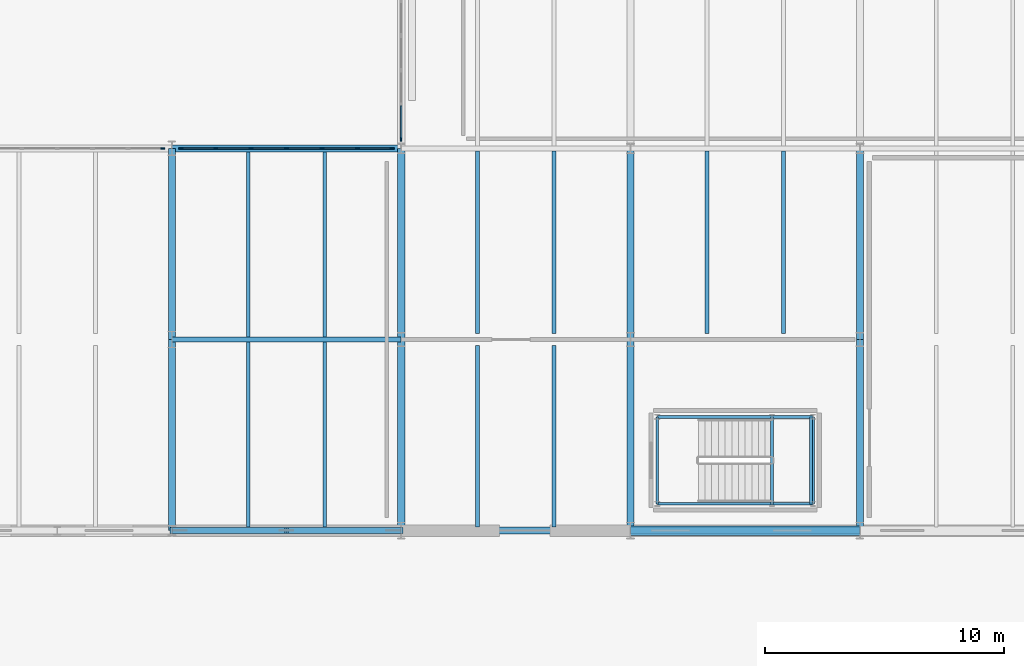
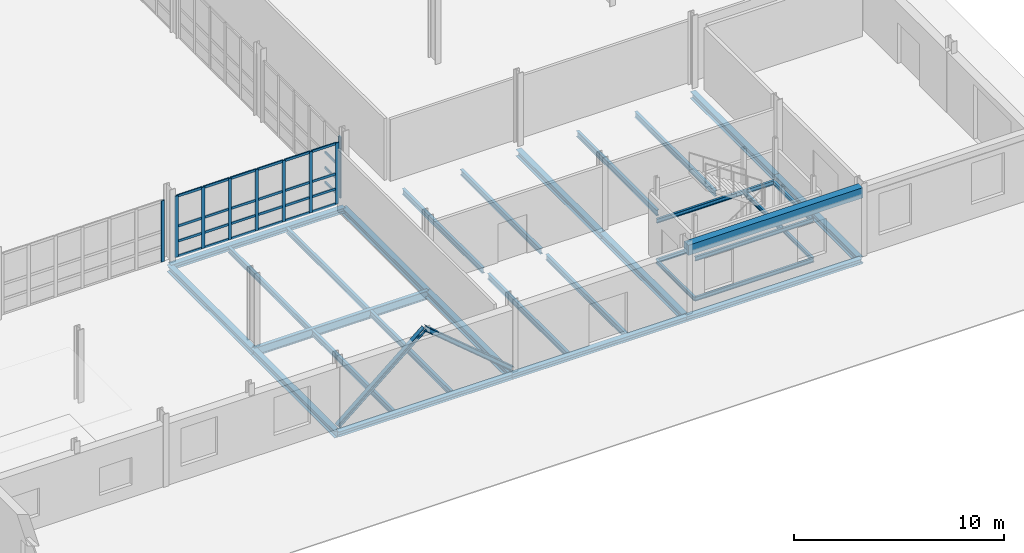
# One storey, part 42 of 78: 38 members, 32 beams, 3 elements without a shape of their own.
"""IFC4 building model written with IfcOpenShell, lengths in metres."""

from ifc_helpers import new_model, si_unit, direction, frame, origin, origin_2d, place, context, subcontext, project, spatial, rectangle, i_section, extrude, material, layer, layer_set, material_profile, profile_set, type_object, element, aggregate, save


model = new_model("IFC4")

# Units and contexts
model_context = context("Model", 3, precision=1e-05, world=origin(), true_north=direction((0.0, 1.0)))
body_context = subcontext(model_context, "Body", "Model", "MODEL_VIEW")
ifc_project = project(units=[si_unit("LENGTHUNIT", "METRE"), si_unit("AREAUNIT", "SQUARE_METRE"), si_unit("VOLUMEUNIT", "CUBIC_METRE"), si_unit("PLANEANGLEUNIT", "RADIAN"), si_unit("MASSUNIT", "GRAM", prefix="KILO")], contexts=[model_context])

# Site, building, storey
site_placement = place(None, origin())
site = spatial("IfcSite", under=ifc_project, at=site_placement, CompositionType="ELEMENT")
building_placement = place(site_placement, origin())
building = spatial("IfcBuilding", under=site, at=building_placement, Name="Alderhovde Museum", CompositionType="ELEMENT")
storey_placement = place(building_placement, origin())
storey = spatial("IfcBuildingStorey", under=building, at=storey_placement, Name="L00", CompositionType="ELEMENT", Elevation=0.0)

# Beams
ifc_material_1 = material(Name="Steel S355J2", Category="steel")
ifc_material_profile_1 = material_profile(ifc_material_1, i_section(OverallWidth=0.300048828125, OverallDepth=0.389892578125, WebThickness=0.010986328125, FlangeThickness=0.01904296875, FilletRadius=0.027099609375, at=origin_2d()), Name="HEA 400")
ifc_profile_set_1 = profile_set([ifc_material_profile_1], Name="Steel S355J2")
beam_type_1 = type_object("IfcBeamType", Name="BM-HEA400", PredefinedType="BEAM", material=ifc_profile_set_1)
for number, where, z_axis, x_axis, name in (
    (1, (134.39990234375, 32.0, -0.47509765625), (0.0, 1.0, 0.0), (-1.0, 0.0, 0.0), "L00 Grid Beam X=134.4 (32.0 TO 40.0)"),
    (2, (134.39990234375, 40.0, -0.47509765625), (0.0, 1.0, 0.0), (-1.0, 0.0, 0.0), "L00 Grid Beam X=134.4 (40.0 TO 48.0)"),
    (3, (144.0, 32.0, -0.47509765625), (0.0, 1.0, 0.0), (-1.0, 0.0, 0.0), "L00 Grid Beam X=144.0 (32.0 TO 40.0)"),
    (4, (144.0, 40.0, -0.47509765625), (0.0, 1.0, 0.0), (-1.0, 0.0, 0.0), "L00 Grid Beam X=144.0 (40.0 TO 48.0)"),
    (5, (153.60009765625, 32.0, -0.47509765625), (0.0, 1.0, 0.0), (-1.0, 0.0, 0.0), "L00 Grid Beam X=153.6 (32.0 TO 40.0)"),
    (6, (153.60009765625, 40.0, -0.47509765625), (0.0, 1.0, 0.0), (-1.0, 0.0, 0.0), "L00 Grid Beam X=153.6 (40.0 TO 48.0)"),
    (7, (163.199951171875, 32.0, -0.47509765625), (0.0, 1.0, 0.0), (-1.0, 0.0, 0.0), "L00 Grid Beam X=163.2 (32.0 TO 40.0)"),
    (8, (163.199951171875, 40.0, -0.47509765625), (0.0, 1.0, 0.0), (-1.0, 0.0, 0.0), "L00 Grid Beam X=163.2 (40.0 TO 48.0)"),
):
    element("IfcBeam", number, at=place(storey_placement, frame(where, z_axis=z_axis, x_axis=x_axis)), inside=storey, type_object=beam_type_1, Name=name, PredefinedType="BEAM", context=body_context, shape_type="SweptSolid", body=[
        extrude(i_section(OverallWidth=0.300048828125, OverallDepth=0.389892578125, WebThickness=0.010986328125, FlangeThickness=0.01904296875, FilletRadius=0.027099609375, at=origin_2d()), origin(), (0.0, 0.0, 1.0), 8.0),
    ])
ifc_material_2 = material(Name="Steel S355J2", Category="steel")
ifc_material_profile_2 = material_profile(ifc_material_2, i_section(OverallWidth=0.1201171875, OverallDepth=0.239990234375, WebThickness=0.006103515625, FlangeThickness=0.009765625, FilletRadius=0.014892578125, at=origin_2d()), Name="IPE 240")
ifc_profile_set_2 = profile_set([ifc_material_profile_2], Name="Steel S355J2")
beam_type_2 = type_object("IfcBeamType", Name="BM-IPE240", PredefinedType="BEAM", material=ifc_profile_set_2)
for number, where, z_axis, x_axis, name in (
    (9, (154.719970703125, 33.1201171875, -0.39990234375), (1.0, 0.0, 0.0), (0.0, 1.0, 0.0), "L00 Stair ST7 Floor Trimmer S"),
    (10, (154.719970703125, 36.760009765625, -0.39990234375), (1.0, 0.0, 0.0), (0.0, 1.0, 0.0), "L00 Stair ST7 Floor Trimmer N"),
):
    element("IfcBeam", number, at=place(storey_placement, frame(where, z_axis=z_axis, x_axis=x_axis)), inside=storey, type_object=beam_type_2, Name=name, PredefinedType="BEAM", context=body_context, shape_type="SweptSolid", body=[
        extrude(i_section(OverallWidth=0.1201171875, OverallDepth=0.239990234375, WebThickness=0.006103515625, FlangeThickness=0.009765625, FilletRadius=0.014892578125, at=origin_2d()), origin(), (0.0, 0.0, 1.0), 6.52001953125),
    ])
for number, where, z_axis, x_axis, name in (
    (11, (154.719970703125, 33.1201171875, -0.39990234375), (0.0, 1.0, 0.0), (-1.0, 0.0, 0.0), "L00 Stair ST7 Floor Trimmer W"),
    (12, (161.239990234375, 33.1201171875, -0.39990234375), (0.0, 1.0, 0.0), (-1.0, 0.0, 0.0), "L00 Stair ST7 Floor Trimmer E"),
):
    element("IfcBeam", number, at=place(storey_placement, frame(where, z_axis=z_axis, x_axis=x_axis)), inside=storey, type_object=beam_type_2, Name=name, PredefinedType="BEAM", context=body_context, shape_type="SweptSolid", body=[
        extrude(i_section(OverallWidth=0.1201171875, OverallDepth=0.239990234375, WebThickness=0.006103515625, FlangeThickness=0.009765625, FilletRadius=0.014892578125, at=origin_2d()), origin(), (0.0, 0.0, 1.0), 3.639892578125),
    ])
for number, where, z_axis, x_axis, name in (
    (13, (154.719970703125, 33.1201171875, 1.929931640625), (1.0, 0.0, 0.0), (0.0, 1.0, 0.0), "L00 Stair ST7 Landing 1 Beam S"),
    (14, (154.719970703125, 36.760009765625, 1.929931640625), (1.0, 0.0, 0.0), (0.0, 1.0, 0.0), "L00 Stair ST7 Landing 1 Beam N"),
):
    element("IfcBeam", number, at=place(storey_placement, frame(where, z_axis=z_axis, x_axis=x_axis)), inside=storey, type_object=beam_type_2, Name=name, PredefinedType="BEAM", context=body_context, shape_type="SweptSolid", body=[
        extrude(i_section(OverallWidth=0.1201171875, OverallDepth=0.239990234375, WebThickness=0.006103515625, FlangeThickness=0.009765625, FilletRadius=0.014892578125, at=origin_2d()), origin(), (0.0, 0.0, 1.0), 6.52001953125),
    ])
for number, where, z_axis, x_axis, name in (
    (15, (159.52001953125, 33.1201171875, 1.929931640625), (0.0, 1.0, 0.0), (-1.0, 0.0, 0.0), "L00 Stair ST7 Landing 1 Beam W"),
    (16, (161.159912109375, 33.1201171875, 1.929931640625), (0.0, 1.0, 0.0), (-1.0, 0.0, 0.0), "L00 Stair ST7 Landing 1 Beam E"),
):
    element("IfcBeam", number, at=place(storey_placement, frame(where, z_axis=z_axis, x_axis=x_axis)), inside=storey, type_object=beam_type_2, Name=name, PredefinedType="BEAM", context=body_context, shape_type="SweptSolid", body=[
        extrude(i_section(OverallWidth=0.1201171875, OverallDepth=0.239990234375, WebThickness=0.006103515625, FlangeThickness=0.009765625, FilletRadius=0.014892578125, at=origin_2d()), origin(), (0.0, 0.0, 1.0), 3.639892578125),
    ])
ifc_material_3 = material(Name="Steel S355J2", Category="steel")
ifc_material_profile_3 = material_profile(ifc_material_3, i_section(OverallWidth=0.199951171875, OverallDepth=0.5, WebThickness=0.01025390625, FlangeThickness=0.01611328125, FilletRadius=0.02099609375, at=origin_2d()), Name="IPE 500")
ifc_profile_set_3 = profile_set([ifc_material_profile_3], Name="Steel S355J2")
beam_type_3 = type_object("IfcBeamType", Name="BM-IPE500", PredefinedType="BEAM", material=ifc_profile_set_3)
beam_1_placement = place(storey_placement, frame((134.39990234375, 40.0, -0.530029296875), z_axis=(1.0, 0.0, 0.0), x_axis=(0.0, 1.0, 0.0)))
element("IfcBeam", 17, at=beam_1_placement, inside=storey, type_object=beam_type_3, Name="L00 Grid Beam Y=40.0 (134.4 TO 144.0)", PredefinedType="BEAM", context=body_context, shape_type="SweptSolid", body=[
    extrude(i_section(OverallWidth=0.199951171875, OverallDepth=0.5, WebThickness=0.01025390625, FlangeThickness=0.01611328125, FilletRadius=0.02099609375, at=origin_2d()), origin(), (0.0, 0.0, 1.0), 9.60009765625),
])

# Members
ifc_material_4 = material(Name="Steel S355J2", Category="steel")
ifc_material_profile_4 = material_profile(ifc_material_4, i_section(OverallWidth=0.239990234375, OverallDepth=0.239990234375, WebThickness=0.010009765625, FlangeThickness=0.01708984375, FilletRadius=0.02099609375, at=origin_2d()), Name="HEB 240")
ifc_profile_set_4 = profile_set([ifc_material_profile_4], Name="Steel S355J2")
member_type_1 = type_object("IfcMemberType", Name="BR-HEB240", PredefinedType="BRACE", material=ifc_profile_set_4)
for number, where, z_axis, x_axis, name in (
    (18, (134.39990234375, 32.0, 0.0), (0.766649646023, 0.0, 0.64206566662), (0.0, 1.0, 0.0), "L00 Chevron Brace BR-V5-S-L"),
    (19, (144.0, 32.0, 0.0), (-0.766649646023, 0.0, 0.64206566662), (0.0, -1.0, 0.0), "L00 Chevron Brace BR-V5-S-R"),
):
    element("IfcMember", number, at=place(storey_placement, frame(where, z_axis=z_axis, x_axis=x_axis)), inside=storey, type_object=member_type_1, Name=name, PredefinedType="BRACE", context=body_context, shape_type="SweptSolid", body=[
        extrude(i_section(OverallWidth=0.239990234375, OverallDepth=0.239990234375, WebThickness=0.010009765625, FlangeThickness=0.01708984375, FilletRadius=0.02099609375, at=origin_2d()), origin(), (0.0, 0.0, 1.0), 6.260986328125),
    ])

# Curtain wall, member
ifc_material_5 = material(Name="Triple-Glazed Bronze-Anodised Curtain Wall", Category="glass")
ifc_layer_1 = layer(ifc_material_5, 0.179931640625)
ifc_layer_set_1 = layer_set([ifc_layer_1], Name="Triple-Glazed Bronze-Anodised Curtain Wall")
curtain_wall_type_1 = type_object("IfcCurtainWallType", Name="CW-STIC-890x356", PredefinedType="USERDEFINED", material=ifc_layer_set_1)
curtain_wall_1_placement = place(storey_placement, origin())
curtain_wall_1 = element("IfcCurtainWall", 20, at=curtain_wall_1_placement, inside=storey, type_object=curtain_wall_type_1, Name="L00 Stick Curtain Wall 136", ObjectType="STICK CURTAIN WALL", PredefinedType="USERDEFINED")
ifc_material_6 = material(Name="Bronze-Anodised Aluminium EN AW-6063-T6", Category="aluminium")
ifc_material_profile_5 = material_profile(ifc_material_6, rectangle(XDim=0.06494140625, YDim=0.179931640625, at=origin_2d()), Name="MULLION 65x180")
ifc_profile_set_5 = profile_set([ifc_material_profile_5], Name="Bronze-Anodised Aluminium EN AW-6063-T6")
member_type_2 = type_object("IfcMemberType", Name="CWM-65x180", PredefinedType="MULLION", material=ifc_profile_set_5)
member_1_placement = place(storey_placement, frame((134.017578125, 48.0, 0.0), z_axis=(0.0, 0.0, 1.0), x_axis=(0.0, 1.0, 0.0)))
member_1 = element("IfcMember", 21, at=member_1_placement, type_object=member_type_2, Name="CW32 mullion 7", PredefinedType="MULLION", context=body_context, shape_type="SweptSolid", body=[
    extrude(rectangle(XDim=0.06494140625, YDim=0.179931640625, at=origin_2d()), origin(), (0.0, 0.0, 1.0), 3.56005859375),
])
aggregate(curtain_wall_1, [member_1])

# Curtain wall, members
curtain_wall_2_placement = place(storey_placement, origin())
curtain_wall_2 = element("IfcCurtainWall", 22, at=curtain_wall_2_placement, inside=storey, type_object=curtain_wall_type_1, Name="L00 Stick Curtain Wall 139", ObjectType="STICK CURTAIN WALL", PredefinedType="USERDEFINED")
member_2_placement = place(storey_placement, frame((134.782470703125, 48.0, 0.0), z_axis=(0.0, 0.0, 1.0), x_axis=(0.0, 1.0, 0.0)))
member_2 = element("IfcMember", 23, at=member_2_placement, type_object=member_type_2, Name="CW32 mullion 1", PredefinedType="MULLION", context=body_context, shape_type="SweptSolid", body=[
    extrude(rectangle(XDim=0.06494140625, YDim=0.179931640625, at=origin_2d()), origin(), (0.0, 0.0, 1.0), 3.56005859375),
])
member_3_placement = place(storey_placement, frame((136.2333984375, 48.0, 0.0), z_axis=(0.0, 0.0, 1.0), x_axis=(0.0, 1.0, 0.0)))
member_3 = element("IfcMember", 24, at=member_3_placement, type_object=member_type_2, Name="CW32 mullion 2", PredefinedType="MULLION", context=body_context, shape_type="SweptSolid", body=[
    extrude(rectangle(XDim=0.06494140625, YDim=0.179931640625, at=origin_2d()), origin(), (0.0, 0.0, 1.0), 3.56005859375),
])
member_4_placement = place(storey_placement, frame((137.716552734375, 48.0, 0.0), z_axis=(0.0, 0.0, 1.0), x_axis=(0.0, 1.0, 0.0)))
member_4 = element("IfcMember", 25, at=member_4_placement, type_object=member_type_2, Name="CW32 mullion 3", PredefinedType="MULLION", context=body_context, shape_type="SweptSolid", body=[
    extrude(rectangle(XDim=0.06494140625, YDim=0.179931640625, at=origin_2d()), origin(), (0.0, 0.0, 1.0), 3.56005859375),
])
member_5_placement = place(storey_placement, frame((139.199951171875, 48.0, 0.0), z_axis=(0.0, 0.0, 1.0), x_axis=(0.0, 1.0, 0.0)))
member_5 = element("IfcMember", 26, at=member_5_placement, type_object=member_type_2, Name="CW32 mullion 4", PredefinedType="MULLION", context=body_context, shape_type="SweptSolid", body=[
    extrude(rectangle(XDim=0.06494140625, YDim=0.179931640625, at=origin_2d()), origin(), (0.0, 0.0, 1.0), 3.56005859375),
])
member_6_placement = place(storey_placement, frame((140.683349609375, 48.0, 0.0), z_axis=(0.0, 0.0, 1.0), x_axis=(0.0, 1.0, 0.0)))
member_6 = element("IfcMember", 27, at=member_6_placement, type_object=member_type_2, Name="CW32 mullion 5", PredefinedType="MULLION", context=body_context, shape_type="SweptSolid", body=[
    extrude(rectangle(XDim=0.06494140625, YDim=0.179931640625, at=origin_2d()), origin(), (0.0, 0.0, 1.0), 3.56005859375),
])
member_7_placement = place(storey_placement, frame((142.166748046875, 48.0, 0.0), z_axis=(0.0, 0.0, 1.0), x_axis=(0.0, 1.0, 0.0)))
member_7 = element("IfcMember", 28, at=member_7_placement, type_object=member_type_2, Name="CW32 mullion 6", PredefinedType="MULLION", context=body_context, shape_type="SweptSolid", body=[
    extrude(rectangle(XDim=0.06494140625, YDim=0.179931640625, at=origin_2d()), origin(), (0.0, 0.0, 1.0), 3.56005859375),
])
member_8_placement = place(storey_placement, frame((143.617431640625, 48.0, 0.0), z_axis=(0.0, 0.0, 1.0), x_axis=(0.0, 1.0, 0.0)))
member_8 = element("IfcMember", 29, at=member_8_placement, type_object=member_type_2, Name="CW32 mullion 7", PredefinedType="MULLION", context=body_context, shape_type="SweptSolid", body=[
    extrude(rectangle(XDim=0.06494140625, YDim=0.179931640625, at=origin_2d()), origin(), (0.0, 0.0, 1.0), 3.56005859375),
])

# Curtain wall, member
ifc_material_7 = material(Name="Triple-Glazed Bronze-Anodised Curtain Wall", Category="glass")
ifc_layer_2 = layer(ifc_material_7, 0.179931640625)
ifc_layer_set_2 = layer_set([ifc_layer_2], Name="Triple-Glazed Bronze-Anodised Curtain Wall")
curtain_wall_type_2 = type_object("IfcCurtainWallType", Name="CW-STIC-730x356", PredefinedType="USERDEFINED", material=ifc_layer_set_2)
curtain_wall_3_placement = place(storey_placement, origin())
curtain_wall_3 = element("IfcCurtainWall", 30, at=curtain_wall_3_placement, inside=storey, type_object=curtain_wall_type_2, Name="L00 Stick Curtain Wall 140", ObjectType="STICK CURTAIN WALL", PredefinedType="USERDEFINED")
member_9_placement = place(storey_placement, frame((144.0, 48.382568359375, 0.0), z_axis=(0.0, 0.0, 1.0), x_axis=(-1.0, 0.0, 0.0)))
member_9 = element("IfcMember", 31, at=member_9_placement, type_object=member_type_2, Name="CW33 mullion 1", PredefinedType="MULLION", context=body_context, shape_type="SweptSolid", body=[
    extrude(rectangle(XDim=0.06494140625, YDim=0.179931640625, at=origin_2d()), origin(), (0.0, 0.0, 1.0), 3.56005859375),
])

# Member
ifc_material_8 = material(Name="Bronze-Anodised Aluminium EN AW-6063-T6", Category="aluminium")
ifc_material_profile_6 = material_profile(ifc_material_8, rectangle(XDim=0.06494140625, YDim=0.139892578125, at=origin_2d()), Name="TRANSOM 65x140")
ifc_profile_set_6 = profile_set([ifc_material_profile_6], Name="Bronze-Anodised Aluminium EN AW-6063-T6")
member_type_3 = type_object("IfcMemberType", Name="CWT-65x140", PredefinedType="USERDEFINED", material=ifc_profile_set_6)
member_10_placement = place(storey_placement, frame((134.81494140625, 48.0, 0.032470703125), z_axis=(1.0, 0.0, 0.0), x_axis=(0.0, 1.0, 0.0)))
member_10 = element("IfcMember", 32, at=member_10_placement, type_object=member_type_3, Name="CW32 transom 1.1", ObjectType="TRANSOM", PredefinedType="USERDEFINED", context=body_context, shape_type="SweptSolid", body=[
    extrude(rectangle(XDim=0.06494140625, YDim=0.139892578125, at=origin_2d()), origin(), (0.0, 0.0, 1.0), 1.385986328125),
])

member_11_placement = place(storey_placement, frame((134.81494140625, 48.0, 0.89990234375), z_axis=(1.0, 0.0, 0.0), x_axis=(0.0, 1.0, 0.0)))
member_11 = element("IfcMember", 33, at=member_11_placement, type_object=member_type_3, Name="CW32 transom 1.2", ObjectType="TRANSOM", PredefinedType="USERDEFINED", context=body_context, shape_type="SweptSolid", body=[
    extrude(rectangle(XDim=0.06494140625, YDim=0.139892578125, at=origin_2d()), origin(), (0.0, 0.0, 1.0), 1.385986328125),
])

member_12_placement = place(storey_placement, frame((134.81494140625, 48.0, 1.780029296875), z_axis=(1.0, 0.0, 0.0), x_axis=(0.0, 1.0, 0.0)))
member_12 = element("IfcMember", 34, at=member_12_placement, type_object=member_type_3, Name="CW32 transom 1.3", ObjectType="TRANSOM", PredefinedType="USERDEFINED", context=body_context, shape_type="SweptSolid", body=[
    extrude(rectangle(XDim=0.06494140625, YDim=0.139892578125, at=origin_2d()), origin(), (0.0, 0.0, 1.0), 1.385986328125),
])

member_13_placement = place(storey_placement, frame((134.81494140625, 48.0, 3.527587890625), z_axis=(1.0, 0.0, 0.0), x_axis=(0.0, 1.0, 0.0)))
member_13 = element("IfcMember", 35, at=member_13_placement, type_object=member_type_3, Name="CW32 transom 1.4", ObjectType="TRANSOM", PredefinedType="USERDEFINED", context=body_context, shape_type="SweptSolid", body=[
    extrude(rectangle(XDim=0.06494140625, YDim=0.139892578125, at=origin_2d()), origin(), (0.0, 0.0, 1.0), 1.385986328125),
])

member_14_placement = place(storey_placement, frame((136.265869140625, 48.0, 0.032470703125), z_axis=(1.0, 0.0, 0.0), x_axis=(0.0, 1.0, 0.0)))
member_14 = element("IfcMember", 36, at=member_14_placement, type_object=member_type_3, Name="CW32 transom 2.1", ObjectType="TRANSOM", PredefinedType="USERDEFINED", context=body_context, shape_type="SweptSolid", body=[
    extrude(rectangle(XDim=0.06494140625, YDim=0.139892578125, at=origin_2d()), origin(), (0.0, 0.0, 1.0), 1.418212890625),
])

member_15_placement = place(storey_placement, frame((136.265869140625, 48.0, 0.89990234375), z_axis=(1.0, 0.0, 0.0), x_axis=(0.0, 1.0, 0.0)))
member_15 = element("IfcMember", 37, at=member_15_placement, type_object=member_type_3, Name="CW32 transom 2.2", ObjectType="TRANSOM", PredefinedType="USERDEFINED", context=body_context, shape_type="SweptSolid", body=[
    extrude(rectangle(XDim=0.06494140625, YDim=0.139892578125, at=origin_2d()), origin(), (0.0, 0.0, 1.0), 1.418212890625),
])

member_16_placement = place(storey_placement, frame((136.265869140625, 48.0, 1.780029296875), z_axis=(1.0, 0.0, 0.0), x_axis=(0.0, 1.0, 0.0)))
member_16 = element("IfcMember", 38, at=member_16_placement, type_object=member_type_3, Name="CW32 transom 2.3", ObjectType="TRANSOM", PredefinedType="USERDEFINED", context=body_context, shape_type="SweptSolid", body=[
    extrude(rectangle(XDim=0.06494140625, YDim=0.139892578125, at=origin_2d()), origin(), (0.0, 0.0, 1.0), 1.418212890625),
])

member_17_placement = place(storey_placement, frame((136.265869140625, 48.0, 3.527587890625), z_axis=(1.0, 0.0, 0.0), x_axis=(0.0, 1.0, 0.0)))
member_17 = element("IfcMember", 39, at=member_17_placement, type_object=member_type_3, Name="CW32 transom 2.4", ObjectType="TRANSOM", PredefinedType="USERDEFINED", context=body_context, shape_type="SweptSolid", body=[
    extrude(rectangle(XDim=0.06494140625, YDim=0.139892578125, at=origin_2d()), origin(), (0.0, 0.0, 1.0), 1.418212890625),
])

member_18_placement = place(storey_placement, frame((137.749267578125, 48.0, 0.032470703125), z_axis=(1.0, 0.0, 0.0), x_axis=(0.0, 1.0, 0.0)))
member_18 = element("IfcMember", 40, at=member_18_placement, type_object=member_type_3, Name="CW32 transom 3.1", ObjectType="TRANSOM", PredefinedType="USERDEFINED", context=body_context, shape_type="SweptSolid", body=[
    extrude(rectangle(XDim=0.06494140625, YDim=0.139892578125, at=origin_2d()), origin(), (0.0, 0.0, 1.0), 1.418212890625),
])

member_19_placement = place(storey_placement, frame((137.749267578125, 48.0, 0.89990234375), z_axis=(1.0, 0.0, 0.0), x_axis=(0.0, 1.0, 0.0)))
member_19 = element("IfcMember", 41, at=member_19_placement, type_object=member_type_3, Name="CW32 transom 3.2", ObjectType="TRANSOM", PredefinedType="USERDEFINED", context=body_context, shape_type="SweptSolid", body=[
    extrude(rectangle(XDim=0.06494140625, YDim=0.139892578125, at=origin_2d()), origin(), (0.0, 0.0, 1.0), 1.418212890625),
])

member_20_placement = place(storey_placement, frame((137.749267578125, 48.0, 1.780029296875), z_axis=(1.0, 0.0, 0.0), x_axis=(0.0, 1.0, 0.0)))
member_20 = element("IfcMember", 42, at=member_20_placement, type_object=member_type_3, Name="CW32 transom 3.3", ObjectType="TRANSOM", PredefinedType="USERDEFINED", context=body_context, shape_type="SweptSolid", body=[
    extrude(rectangle(XDim=0.06494140625, YDim=0.139892578125, at=origin_2d()), origin(), (0.0, 0.0, 1.0), 1.418212890625),
])

member_21_placement = place(storey_placement, frame((137.749267578125, 48.0, 3.527587890625), z_axis=(1.0, 0.0, 0.0), x_axis=(0.0, 1.0, 0.0)))
member_21 = element("IfcMember", 43, at=member_21_placement, type_object=member_type_3, Name="CW32 transom 3.4", ObjectType="TRANSOM", PredefinedType="USERDEFINED", context=body_context, shape_type="SweptSolid", body=[
    extrude(rectangle(XDim=0.06494140625, YDim=0.139892578125, at=origin_2d()), origin(), (0.0, 0.0, 1.0), 1.418212890625),
])

member_22_placement = place(storey_placement, frame((139.232421875, 48.0, 0.032470703125), z_axis=(1.0, 0.0, 0.0), x_axis=(0.0, 1.0, 0.0)))
member_22 = element("IfcMember", 44, at=member_22_placement, type_object=member_type_3, Name="CW32 transom 4.1", ObjectType="TRANSOM", PredefinedType="USERDEFINED", context=body_context, shape_type="SweptSolid", body=[
    extrude(rectangle(XDim=0.06494140625, YDim=0.139892578125, at=origin_2d()), origin(), (0.0, 0.0, 1.0), 1.41845703125),
])

member_23_placement = place(storey_placement, frame((139.232421875, 48.0, 0.89990234375), z_axis=(1.0, 0.0, 0.0), x_axis=(0.0, 1.0, 0.0)))
member_23 = element("IfcMember", 45, at=member_23_placement, type_object=member_type_3, Name="CW32 transom 4.2", ObjectType="TRANSOM", PredefinedType="USERDEFINED", context=body_context, shape_type="SweptSolid", body=[
    extrude(rectangle(XDim=0.06494140625, YDim=0.139892578125, at=origin_2d()), origin(), (0.0, 0.0, 1.0), 1.41845703125),
])

member_24_placement = place(storey_placement, frame((139.232421875, 48.0, 1.780029296875), z_axis=(1.0, 0.0, 0.0), x_axis=(0.0, 1.0, 0.0)))
member_24 = element("IfcMember", 46, at=member_24_placement, type_object=member_type_3, Name="CW32 transom 4.3", ObjectType="TRANSOM", PredefinedType="USERDEFINED", context=body_context, shape_type="SweptSolid", body=[
    extrude(rectangle(XDim=0.06494140625, YDim=0.139892578125, at=origin_2d()), origin(), (0.0, 0.0, 1.0), 1.41845703125),
])

member_25_placement = place(storey_placement, frame((139.232421875, 48.0, 3.527587890625), z_axis=(1.0, 0.0, 0.0), x_axis=(0.0, 1.0, 0.0)))
member_25 = element("IfcMember", 47, at=member_25_placement, type_object=member_type_3, Name="CW32 transom 4.4", ObjectType="TRANSOM", PredefinedType="USERDEFINED", context=body_context, shape_type="SweptSolid", body=[
    extrude(rectangle(XDim=0.06494140625, YDim=0.139892578125, at=origin_2d()), origin(), (0.0, 0.0, 1.0), 1.41845703125),
])

member_26_placement = place(storey_placement, frame((140.7158203125, 48.0, 0.032470703125), z_axis=(1.0, 0.0, 0.0), x_axis=(0.0, 1.0, 0.0)))
member_26 = element("IfcMember", 48, at=member_26_placement, type_object=member_type_3, Name="CW32 transom 5.1", ObjectType="TRANSOM", PredefinedType="USERDEFINED", context=body_context, shape_type="SweptSolid", body=[
    extrude(rectangle(XDim=0.06494140625, YDim=0.139892578125, at=origin_2d()), origin(), (0.0, 0.0, 1.0), 1.41845703125),
])

member_27_placement = place(storey_placement, frame((140.7158203125, 48.0, 0.89990234375), z_axis=(1.0, 0.0, 0.0), x_axis=(0.0, 1.0, 0.0)))
member_27 = element("IfcMember", 49, at=member_27_placement, type_object=member_type_3, Name="CW32 transom 5.2", ObjectType="TRANSOM", PredefinedType="USERDEFINED", context=body_context, shape_type="SweptSolid", body=[
    extrude(rectangle(XDim=0.06494140625, YDim=0.139892578125, at=origin_2d()), origin(), (0.0, 0.0, 1.0), 1.41845703125),
])

member_28_placement = place(storey_placement, frame((140.7158203125, 48.0, 1.780029296875), z_axis=(1.0, 0.0, 0.0), x_axis=(0.0, 1.0, 0.0)))
member_28 = element("IfcMember", 50, at=member_28_placement, type_object=member_type_3, Name="CW32 transom 5.3", ObjectType="TRANSOM", PredefinedType="USERDEFINED", context=body_context, shape_type="SweptSolid", body=[
    extrude(rectangle(XDim=0.06494140625, YDim=0.139892578125, at=origin_2d()), origin(), (0.0, 0.0, 1.0), 1.41845703125),
])

member_29_placement = place(storey_placement, frame((140.7158203125, 48.0, 3.527587890625), z_axis=(1.0, 0.0, 0.0), x_axis=(0.0, 1.0, 0.0)))
member_29 = element("IfcMember", 51, at=member_29_placement, type_object=member_type_3, Name="CW32 transom 5.4", ObjectType="TRANSOM", PredefinedType="USERDEFINED", context=body_context, shape_type="SweptSolid", body=[
    extrude(rectangle(XDim=0.06494140625, YDim=0.139892578125, at=origin_2d()), origin(), (0.0, 0.0, 1.0), 1.41845703125),
])

member_30_placement = place(storey_placement, frame((142.19921875, 48.0, 0.032470703125), z_axis=(1.0, 0.0, 0.0), x_axis=(0.0, 1.0, 0.0)))
member_30 = element("IfcMember", 52, at=member_30_placement, type_object=member_type_3, Name="CW32 transom 6.1", ObjectType="TRANSOM", PredefinedType="USERDEFINED", context=body_context, shape_type="SweptSolid", body=[
    extrude(rectangle(XDim=0.06494140625, YDim=0.139892578125, at=origin_2d()), origin(), (0.0, 0.0, 1.0), 1.3857421875),
])

member_31_placement = place(storey_placement, frame((142.19921875, 48.0, 0.89990234375), z_axis=(1.0, 0.0, 0.0), x_axis=(0.0, 1.0, 0.0)))
member_31 = element("IfcMember", 53, at=member_31_placement, type_object=member_type_3, Name="CW32 transom 6.2", ObjectType="TRANSOM", PredefinedType="USERDEFINED", context=body_context, shape_type="SweptSolid", body=[
    extrude(rectangle(XDim=0.06494140625, YDim=0.139892578125, at=origin_2d()), origin(), (0.0, 0.0, 1.0), 1.3857421875),
])

member_32_placement = place(storey_placement, frame((142.19921875, 48.0, 1.780029296875), z_axis=(1.0, 0.0, 0.0), x_axis=(0.0, 1.0, 0.0)))
member_32 = element("IfcMember", 54, at=member_32_placement, type_object=member_type_3, Name="CW32 transom 6.3", ObjectType="TRANSOM", PredefinedType="USERDEFINED", context=body_context, shape_type="SweptSolid", body=[
    extrude(rectangle(XDim=0.06494140625, YDim=0.139892578125, at=origin_2d()), origin(), (0.0, 0.0, 1.0), 1.3857421875),
])

member_33_placement = place(storey_placement, frame((142.19921875, 48.0, 3.527587890625), z_axis=(1.0, 0.0, 0.0), x_axis=(0.0, 1.0, 0.0)))
member_33 = element("IfcMember", 55, at=member_33_placement, type_object=member_type_3, Name="CW32 transom 6.4", ObjectType="TRANSOM", PredefinedType="USERDEFINED", context=body_context, shape_type="SweptSolid", body=[
    extrude(rectangle(XDim=0.06494140625, YDim=0.139892578125, at=origin_2d()), origin(), (0.0, 0.0, 1.0), 1.3857421875),
])

aggregate(curtain_wall_2, [member_2, member_3, member_4, member_5, member_6, member_7, member_8, member_10, member_11, member_12, member_13, member_14, member_15, member_16, member_17, member_18, member_19, member_20, member_21, member_22, member_23, member_24, member_25, member_26, member_27, member_28, member_29, member_30, member_31, member_32, member_33])

member_34_placement = place(storey_placement, frame((144.0, 48.4150390625, 0.032470703125), z_axis=(0.0, 1.0, 0.0), x_axis=(-1.0, 0.0, 0.0)))
member_34 = element("IfcMember", 56, at=member_34_placement, type_object=member_type_3, Name="CW33 transom 1.1", ObjectType="TRANSOM", PredefinedType="USERDEFINED", context=body_context, shape_type="SweptSolid", body=[
    extrude(rectangle(XDim=0.06494140625, YDim=0.139892578125, at=origin_2d()), origin(), (0.0, 0.0, 1.0), 1.362548828125),
])

member_35_placement = place(storey_placement, frame((144.0, 48.4150390625, 0.89990234375), z_axis=(0.0, 1.0, 0.0), x_axis=(-1.0, 0.0, 0.0)))
member_35 = element("IfcMember", 57, at=member_35_placement, type_object=member_type_3, Name="CW33 transom 1.2", ObjectType="TRANSOM", PredefinedType="USERDEFINED", context=body_context, shape_type="SweptSolid", body=[
    extrude(rectangle(XDim=0.06494140625, YDim=0.139892578125, at=origin_2d()), origin(), (0.0, 0.0, 1.0), 1.362548828125),
])

member_36_placement = place(storey_placement, frame((144.0, 48.4150390625, 1.780029296875), z_axis=(0.0, 1.0, 0.0), x_axis=(-1.0, 0.0, 0.0)))
member_36 = element("IfcMember", 58, at=member_36_placement, type_object=member_type_3, Name="CW33 transom 1.3", ObjectType="TRANSOM", PredefinedType="USERDEFINED", context=body_context, shape_type="SweptSolid", body=[
    extrude(rectangle(XDim=0.06494140625, YDim=0.139892578125, at=origin_2d()), origin(), (0.0, 0.0, 1.0), 1.362548828125),
])

aggregate(curtain_wall_3, [member_9, member_34, member_35, member_36])

# Beams
ifc_material_9 = material(Name="Steel S355J2", Category="steel")
ifc_material_profile_7 = material_profile(ifc_material_9, i_section(OverallWidth=0.159912109375, OverallDepth=0.330078125, WebThickness=0.007568359375, FlangeThickness=0.011474609375, FilletRadius=0.01806640625, at=origin_2d()), Name="IPE 330")
ifc_profile_set_7 = profile_set([ifc_material_profile_7], Name="Steel S355J2")
beam_type_4 = type_object("IfcBeamType", Name="JST-IPE330", PredefinedType="JOIST", material=ifc_profile_set_7)
for number, where, z_axis, x_axis, name in (
    (59, (137.60009765625, 32.14990234375, -0.445068359375), (0.0, 1.0, 0.0), (-1.0, 0.0, 0.0), "L00 Composite Joist X=137.6 (32.0 TO 40.0)"),
    (60, (140.800048828125, 32.14990234375, -0.445068359375), (0.0, 1.0, 0.0), (-1.0, 0.0, 0.0), "L00 Composite Joist X=140.8 (32.0 TO 40.0)"),
    (61, (137.60009765625, 40.10009765625, -0.445068359375), (0.0, 1.0, 0.0), (-1.0, 0.0, 0.0), "L00 Composite Joist X=137.6 (40.0 TO 48.0)"),
    (62, (140.800048828125, 40.10009765625, -0.445068359375), (0.0, 1.0, 0.0), (-1.0, 0.0, 0.0), "L00 Composite Joist X=140.8 (40.0 TO 48.0)"),
):
    element("IfcBeam", number, at=place(storey_placement, frame(where, z_axis=z_axis, x_axis=x_axis)), inside=storey, type_object=beam_type_4, Name=name, PredefinedType="JOIST", context=body_context, shape_type="SweptSolid", body=[
        extrude(i_section(OverallWidth=0.159912109375, OverallDepth=0.330078125, WebThickness=0.007568359375, FlangeThickness=0.011474609375, FilletRadius=0.01806640625, at=origin_2d()), origin(), (0.0, 0.0, 1.0), 7.75),
    ])
for number, where, z_axis, x_axis, name in (
    (63, (147.199951171875, 32.14990234375, -0.445068359375), (0.0, 1.0, 0.0), (-1.0, 0.0, 0.0), "L00 Composite Joist X=147.2 (32.0 TO 40.0)"),
    (64, (150.39990234375, 32.14990234375, -0.445068359375), (0.0, 1.0, 0.0), (-1.0, 0.0, 0.0), "L00 Composite Joist X=150.4 (32.0 TO 40.0)"),
):
    element("IfcBeam", number, at=place(storey_placement, frame(where, z_axis=z_axis, x_axis=x_axis)), inside=storey, type_object=beam_type_4, Name=name, PredefinedType="JOIST", context=body_context, shape_type="SweptSolid", body=[
        extrude(i_section(OverallWidth=0.159912109375, OverallDepth=0.330078125, WebThickness=0.007568359375, FlangeThickness=0.011474609375, FilletRadius=0.01806640625, at=origin_2d()), origin(), (0.0, 0.0, 1.0), 7.60009765625),
    ])
for number, where, z_axis, x_axis, name in (
    (65, (147.199951171875, 40.25, -0.445068359375), (0.0, 1.0, 0.0), (-1.0, 0.0, 0.0), "L00 Composite Joist X=147.2 (40.0 TO 48.0)"),
    (66, (150.39990234375, 40.25, -0.445068359375), (0.0, 1.0, 0.0), (-1.0, 0.0, 0.0), "L00 Composite Joist X=150.4 (40.0 TO 48.0)"),
    (67, (156.800048828125, 40.25, -0.445068359375), (0.0, 1.0, 0.0), (-1.0, 0.0, 0.0), "L00 Composite Joist X=156.8 (40.0 TO 48.0)"),
    (68, (160.0, 40.25, -0.445068359375), (0.0, 1.0, 0.0), (-1.0, 0.0, 0.0), "L00 Composite Joist X=160.0 (40.0 TO 48.0)"),
):
    element("IfcBeam", number, at=place(storey_placement, frame(where, z_axis=z_axis, x_axis=x_axis)), inside=storey, type_object=beam_type_4, Name=name, PredefinedType="JOIST", context=body_context, shape_type="SweptSolid", body=[
        extrude(i_section(OverallWidth=0.159912109375, OverallDepth=0.330078125, WebThickness=0.007568359375, FlangeThickness=0.011474609375, FilletRadius=0.01806640625, at=origin_2d()), origin(), (0.0, 0.0, 1.0), 7.64501953125),
    ])
ifc_material_10 = material(Name="Concrete C40/50", Category="concrete")
ifc_material_profile_8 = material_profile(ifc_material_10, rectangle(XDim=0.39990234375, YDim=0.60009765625, at=origin_2d()), Name="RC 400x600")
ifc_profile_set_8 = profile_set([ifc_material_profile_8], Name="Concrete C40/50")
beam_type_5 = type_object("IfcBeamType", Name="LNT-RC400x600", PredefinedType="LINTEL", material=ifc_profile_set_8)
beam_2_placement = place(storey_placement, frame((153.60009765625, 32.0, 3.60009765625), z_axis=(1.0, 0.0, 0.0), x_axis=(0.0, 1.0, 0.0)))
element("IfcBeam", 69, at=beam_2_placement, inside=storey, type_object=beam_type_5, Name="L00 Portal Lintel 7", PredefinedType="LINTEL", context=body_context, shape_type="SweptSolid", body=[
    extrude(rectangle(XDim=0.39990234375, YDim=0.60009765625, at=origin_2d()), origin(), (0.0, 0.0, 1.0), 9.599853515625),
])
ifc_material_11 = material(Name="Steel S355J2", Category="steel")
ifc_material_profile_9 = material_profile(ifc_material_11, i_section(OverallWidth=0.300048828125, OverallDepth=0.2900390625, WebThickness=0.008544921875, FlangeThickness=0.013916015625, FilletRadius=0.027099609375, at=origin_2d()), Name="HEA 300")
ifc_profile_set_9 = profile_set([ifc_material_profile_9], Name="Steel S355J2")
beam_type_6 = type_object("IfcBeamType", Name="SPD-HEA300", PredefinedType="SPANDREL", material=ifc_profile_set_9)
for number, where, z_axis, x_axis, name in (
    (70, (134.39990234375, 32.0, -0.425048828125), (1.0, 0.0, 0.0), (0.0, 1.0, 0.0), "L00 Grid Beam Y=32.0 (134.4 TO 144.0)"),
    (71, (144.0, 32.0, -0.425048828125), (1.0, 0.0, 0.0), (0.0, 1.0, 0.0), "L00 Grid Beam Y=32.0 (144.0 TO 153.6)"),
):
    element("IfcBeam", number, at=place(storey_placement, frame(where, z_axis=z_axis, x_axis=x_axis)), inside=storey, type_object=beam_type_6, Name=name, PredefinedType="SPANDREL", context=body_context, shape_type="SweptSolid", body=[
        extrude(i_section(OverallWidth=0.300048828125, OverallDepth=0.2900390625, WebThickness=0.008544921875, FlangeThickness=0.013916015625, FilletRadius=0.027099609375, at=origin_2d()), origin(), (0.0, 0.0, 1.0), 9.60009765625),
    ])
beam_3_placement = place(storey_placement, frame((153.60009765625, 32.0, -0.425048828125), z_axis=(1.0, 0.0, 0.0), x_axis=(0.0, 1.0, 0.0)))
element("IfcBeam", 72, at=beam_3_placement, inside=storey, type_object=beam_type_6, Name="L00 Grid Beam Y=32.0 (153.6 TO 163.2)", PredefinedType="SPANDREL", context=body_context, shape_type="SweptSolid", body=[
    extrude(i_section(OverallWidth=0.300048828125, OverallDepth=0.2900390625, WebThickness=0.008544921875, FlangeThickness=0.013916015625, FilletRadius=0.027099609375, at=origin_2d()), origin(), (0.0, 0.0, 1.0), 9.599853515625),
])
beam_4_placement = place(storey_placement, frame((134.39990234375, 48.0, -0.425048828125), z_axis=(1.0, 0.0, 0.0), x_axis=(0.0, 1.0, 0.0)))
element("IfcBeam", 73, at=beam_4_placement, inside=storey, type_object=beam_type_6, Name="L00 Grid Beam Y=48.0 (134.4 TO 144.0)", PredefinedType="SPANDREL", context=body_context, shape_type="SweptSolid", body=[
    extrude(i_section(OverallWidth=0.300048828125, OverallDepth=0.2900390625, WebThickness=0.008544921875, FlangeThickness=0.013916015625, FilletRadius=0.027099609375, at=origin_2d()), origin(), (0.0, 0.0, 1.0), 9.60009765625),
])

save(model, "model.ifc")
